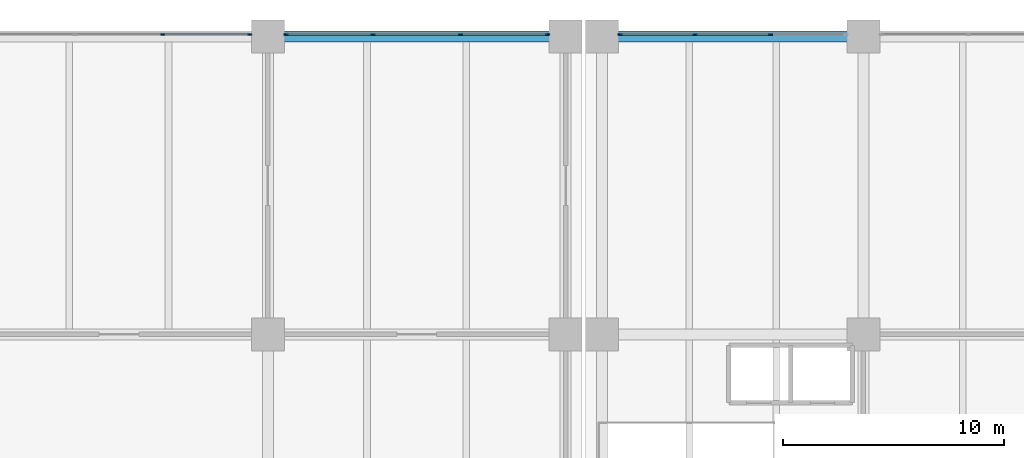
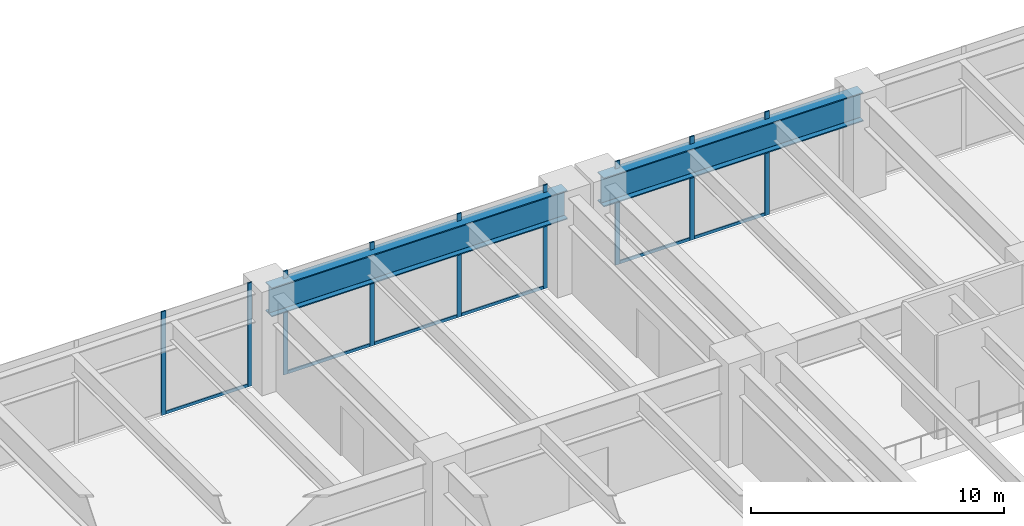
# One storey, part 15 of 31: 15 members, 2 beams, 3 elements without a shape of their own.
"""IFC4 building model written with IfcOpenShell, lengths in metres."""

from ifc_helpers import new_model, si_unit, direction, frame, origin, origin_2d, place, context, subcontext, project, spatial, rectangle, i_section, extrude, material, material_profile, profile_set, type_object, element, aggregate, save


model = new_model("IFC4")

# Units and contexts
model_context = context("Model", 3, precision=1e-05, world=origin(), true_north=direction((0.0, 1.0)))
body_context = subcontext(model_context, "Body", "Model", "MODEL_VIEW")
ifc_project = project(units=[si_unit("LENGTHUNIT", "METRE"), si_unit("AREAUNIT", "SQUARE_METRE"), si_unit("VOLUMEUNIT", "CUBIC_METRE"), si_unit("PLANEANGLEUNIT", "RADIAN"), si_unit("MASSUNIT", "GRAM", prefix="KILO")], contexts=[model_context])

# Site, building, storey
site_placement = place(None, origin())
site = spatial("IfcSite", under=ifc_project, at=site_placement, CompositionType="ELEMENT")
building_placement = place(site_placement, origin())
building = spatial("IfcBuilding", under=site, at=building_placement, Name="Upepo Twin Towers", CompositionType="ELEMENT")
storey_placement = place(building_placement, frame((0.0, 0.0, 15.5)))
storey = spatial("IfcBuildingStorey", under=building, at=storey_placement, Name="L03", CompositionType="ELEMENT", Elevation=15.5)

# Beams
ifc_material_1 = material(Name="Steel S355", Category="steel")
ifc_material_profile_1 = material_profile(ifc_material_1, i_section(OverallWidth=0.5, OverallDepth=1.39990234375, WebThickness=0.02490234375, FlangeThickness=0.050048828125, FilletRadius=0.008056640625, at=origin_2d()), Name="PG 1400x500x25x50")
ifc_profile_set_1 = profile_set([ifc_material_profile_1], Name="Steel S355")
beam_type = type_object("IfcBeamType", Name="Beam PG 1400x500x25x50", PredefinedType="BEAM", material=ifc_profile_set_1)
beam_1_placement = place(storey_placement, frame((13.5, 40.5, 3.949951171875), z_axis=(1.0, 0.0, 0.0), x_axis=(0.0, 1.0, 0.0)))
element("IfcBeam", 1, at=beam_1_placement, inside=storey, type_object=beam_type, Name="Podium girder G/4-5", PredefinedType="BEAM", context=body_context, shape_type="SweptSolid", body=[
    extrude(i_section(OverallWidth=0.5, OverallDepth=1.39990234375, WebThickness=0.02490234375, FlangeThickness=0.050048828125, FilletRadius=0.008056640625, at=origin_2d()), origin(), (0.0, 0.0, 1.0), 13.5),
])
beam_2_placement = place(storey_placement, frame((28.64990234375, 40.5, 3.949951171875), z_axis=(1.0, 0.0, 0.0), x_axis=(0.0, 1.0, 0.0)))
element("IfcBeam", 2, at=beam_2_placement, inside=storey, type_object=beam_type, Name="Podium girder G/5a-6", PredefinedType="BEAM", context=body_context, shape_type="SweptSolid", body=[
    extrude(i_section(OverallWidth=0.5, OverallDepth=1.39990234375, WebThickness=0.02490234375, FlangeThickness=0.050048828125, FilletRadius=0.008056640625, at=origin_2d()), origin(), (0.0, 0.0, 1.0), 11.85009765625),
])

# Curtain wall, members
ifc_material_2 = material(Name="Aluminium and clear glass", Category="aluminium")
curtain_wall_type = type_object("IfcCurtainWallType", Name="Podium curtain wall PW1", PredefinedType="NOTDEFINED", material=ifc_material_2)
curtain_wall_1_placement = place(storey_placement, origin())
curtain_wall_1 = element("IfcCurtainWall", 3, at=curtain_wall_1_placement, inside=storey, type_object=curtain_wall_type, Name="Podium L03 curtain wall N5", PredefinedType="NOTDEFINED")
ifc_material_3 = material(Name="Aluminium mullion", Category="aluminium")
ifc_material_profile_2 = material_profile(ifc_material_3, rectangle(XDim=0.06494140625, YDim=0.199951171875, at=origin_2d()), Name="MULLION 65x200 PODIUM")
ifc_profile_set_2 = profile_set([ifc_material_profile_2], Name="Aluminium mullion")
member_type_1 = type_object("IfcMemberType", Name="Mullion 65x200 PW1", PredefinedType="MULLION", material=ifc_profile_set_2)
member_1_placement = place(storey_placement, frame((36.288330078125, 40.60009765625, 0.0), z_axis=(0.0, 0.0, 1.0), x_axis=(0.0, -1.0, 0.0)))
member_1 = element("IfcMember", 4, at=member_1_placement, type_object=member_type_1, Name="Podium L03 curtain wall N5 mullion 2", PredefinedType="MULLION", context=body_context, shape_type="SweptSolid", body=[
    extrude(rectangle(XDim=0.06494140625, YDim=0.199951171875, at=origin_2d()), origin(), (0.0, 0.0, 1.0), 5.0),
])
member_2_placement = place(storey_placement, frame((32.861572265625, 40.60009765625, 0.0), z_axis=(0.0, 0.0, 1.0), x_axis=(0.0, -1.0, 0.0)))
member_2 = element("IfcMember", 5, at=member_2_placement, type_object=member_type_1, Name="Podium L03 curtain wall N5 mullion 3", PredefinedType="MULLION", context=body_context, shape_type="SweptSolid", body=[
    extrude(rectangle(XDim=0.06494140625, YDim=0.199951171875, at=origin_2d()), origin(), (0.0, 0.0, 1.0), 5.0),
])
member_3_placement = place(storey_placement, frame((29.467529296875, 40.60009765625, 0.0), z_axis=(0.0, 0.0, 1.0), x_axis=(0.0, -1.0, 0.0)))
member_3 = element("IfcMember", 6, at=member_3_placement, type_object=member_type_1, Name="Podium L03 curtain wall N5 mullion 4", PredefinedType="MULLION", context=body_context, shape_type="SweptSolid", body=[
    extrude(rectangle(XDim=0.06494140625, YDim=0.199951171875, at=origin_2d()), origin(), (0.0, 0.0, 1.0), 5.0),
])

curtain_wall_2_placement = place(storey_placement, origin())
curtain_wall_2 = element("IfcCurtainWall", 7, at=curtain_wall_2_placement, inside=storey, type_object=curtain_wall_type, Name="Podium L03 curtain wall N6", PredefinedType="NOTDEFINED")
member_4_placement = place(storey_placement, frame((26.1826171875, 40.60009765625, 0.0), z_axis=(0.0, 0.0, 1.0), x_axis=(0.0, -1.0, 0.0)))
member_4 = element("IfcMember", 8, at=member_4_placement, type_object=member_type_1, Name="Podium L03 curtain wall N6 mullion 1", PredefinedType="MULLION", context=body_context, shape_type="SweptSolid", body=[
    extrude(rectangle(XDim=0.06494140625, YDim=0.199951171875, at=origin_2d()), origin(), (0.0, 0.0, 1.0), 5.0),
])
member_5_placement = place(storey_placement, frame((22.23828125, 40.60009765625, 0.0), z_axis=(0.0, 0.0, 1.0), x_axis=(0.0, -1.0, 0.0)))
member_5 = element("IfcMember", 9, at=member_5_placement, type_object=member_type_1, Name="Podium L03 curtain wall N6 mullion 2", PredefinedType="MULLION", context=body_context, shape_type="SweptSolid", body=[
    extrude(rectangle(XDim=0.06494140625, YDim=0.199951171875, at=origin_2d()), origin(), (0.0, 0.0, 1.0), 5.0),
])
member_6_placement = place(storey_placement, frame((18.26171875, 40.60009765625, 0.0), z_axis=(0.0, 0.0, 1.0), x_axis=(0.0, -1.0, 0.0)))
member_6 = element("IfcMember", 10, at=member_6_placement, type_object=member_type_1, Name="Podium L03 curtain wall N6 mullion 3", PredefinedType="MULLION", context=body_context, shape_type="SweptSolid", body=[
    extrude(rectangle(XDim=0.06494140625, YDim=0.199951171875, at=origin_2d()), origin(), (0.0, 0.0, 1.0), 5.0),
])
member_7_placement = place(storey_placement, frame((14.3173828125, 40.60009765625, 0.0), z_axis=(0.0, 0.0, 1.0), x_axis=(0.0, -1.0, 0.0)))
member_7 = element("IfcMember", 11, at=member_7_placement, type_object=member_type_1, Name="Podium L03 curtain wall N6 mullion 4", PredefinedType="MULLION", context=body_context, shape_type="SweptSolid", body=[
    extrude(rectangle(XDim=0.06494140625, YDim=0.199951171875, at=origin_2d()), origin(), (0.0, 0.0, 1.0), 5.0),
])

curtain_wall_3_placement = place(storey_placement, origin())
curtain_wall_3 = element("IfcCurtainWall", 12, at=curtain_wall_3_placement, inside=storey, type_object=curtain_wall_type, Name="Podium L03 curtain wall N7", PredefinedType="NOTDEFINED")
member_8_placement = place(storey_placement, frame((12.6826171875, 40.60009765625, 0.0), z_axis=(0.0, 0.0, 1.0), x_axis=(0.0, -1.0, 0.0)))
member_8 = element("IfcMember", 13, at=member_8_placement, type_object=member_type_1, Name="Podium L03 curtain wall N7 mullion 1", PredefinedType="MULLION", context=body_context, shape_type="SweptSolid", body=[
    extrude(rectangle(XDim=0.06494140625, YDim=0.199951171875, at=origin_2d()), origin(), (0.0, 0.0, 1.0), 5.0),
])
member_9_placement = place(storey_placement, frame((8.73828125, 40.60009765625, 0.0), z_axis=(0.0, 0.0, 1.0), x_axis=(0.0, -1.0, 0.0)))
member_9 = element("IfcMember", 14, at=member_9_placement, type_object=member_type_1, Name="Podium L03 curtain wall N7 mullion 2", PredefinedType="MULLION", context=body_context, shape_type="SweptSolid", body=[
    extrude(rectangle(XDim=0.06494140625, YDim=0.199951171875, at=origin_2d()), origin(), (0.0, 0.0, 1.0), 5.0),
])

# Member
ifc_material_4 = material(Name="Aluminium transom", Category="aluminium")
ifc_material_profile_3 = material_profile(ifc_material_4, rectangle(XDim=0.06494140625, YDim=0.14990234375, at=origin_2d()), Name="TRANSOM 65x150 PODIUM")
ifc_profile_set_3 = profile_set([ifc_material_profile_3], Name="Aluminium transom")
member_type_2 = type_object("IfcMemberType", Name="Transom 65x150 PW1", PredefinedType="USERDEFINED", material=ifc_profile_set_3)
member_10_placement = place(storey_placement, frame((36.255859375, 40.60009765625, 0.074951171875), z_axis=(-1.0, 0.0, 0.0), x_axis=(0.0, -1.0, 0.0)))
member_10 = element("IfcMember", 15, at=member_10_placement, type_object=member_type_2, Name="Podium L03 curtain wall N5 transom 2", ObjectType="TRANSOM", PredefinedType="USERDEFINED", context=body_context, shape_type="SweptSolid", body=[
    extrude(rectangle(XDim=0.06494140625, YDim=0.14990234375, at=origin_2d()), origin(), (0.0, 0.0, 1.0), 3.361572265625),
])

member_11_placement = place(storey_placement, frame((32.8291015625, 40.60009765625, 0.074951171875), z_axis=(-1.0, 0.0, 0.0), x_axis=(0.0, -1.0, 0.0)))
member_11 = element("IfcMember", 16, at=member_11_placement, type_object=member_type_2, Name="Podium L03 curtain wall N5 transom 3", ObjectType="TRANSOM", PredefinedType="USERDEFINED", context=body_context, shape_type="SweptSolid", body=[
    extrude(rectangle(XDim=0.06494140625, YDim=0.14990234375, at=origin_2d()), origin(), (0.0, 0.0, 1.0), 3.3291015625),
])

aggregate(curtain_wall_1, [member_1, member_2, member_3, member_10, member_11])

member_12_placement = place(storey_placement, frame((26.14990234375, 40.60009765625, 0.074951171875), z_axis=(-1.0, 0.0, 0.0), x_axis=(0.0, -1.0, 0.0)))
member_12 = element("IfcMember", 17, at=member_12_placement, type_object=member_type_2, Name="Podium L03 curtain wall N6 transom 1", ObjectType="TRANSOM", PredefinedType="USERDEFINED", context=body_context, shape_type="SweptSolid", body=[
    extrude(rectangle(XDim=0.06494140625, YDim=0.14990234375, at=origin_2d()), origin(), (0.0, 0.0, 1.0), 3.879150390625),
])

member_13_placement = place(storey_placement, frame((22.205810546875, 40.60009765625, 0.074951171875), z_axis=(-1.0, 0.0, 0.0), x_axis=(0.0, -1.0, 0.0)))
member_13 = element("IfcMember", 18, at=member_13_placement, type_object=member_type_2, Name="Podium L03 curtain wall N6 transom 2", ObjectType="TRANSOM", PredefinedType="USERDEFINED", context=body_context, shape_type="SweptSolid", body=[
    extrude(rectangle(XDim=0.06494140625, YDim=0.14990234375, at=origin_2d()), origin(), (0.0, 0.0, 1.0), 3.91162109375),
])

member_14_placement = place(storey_placement, frame((18.229248046875, 40.60009765625, 0.074951171875), z_axis=(-1.0, 0.0, 0.0), x_axis=(0.0, -1.0, 0.0)))
member_14 = element("IfcMember", 19, at=member_14_placement, type_object=member_type_2, Name="Podium L03 curtain wall N6 transom 3", ObjectType="TRANSOM", PredefinedType="USERDEFINED", context=body_context, shape_type="SweptSolid", body=[
    extrude(rectangle(XDim=0.06494140625, YDim=0.14990234375, at=origin_2d()), origin(), (0.0, 0.0, 1.0), 3.879150390625),
])

aggregate(curtain_wall_2, [member_4, member_5, member_6, member_7, member_12, member_13, member_14])

member_15_placement = place(storey_placement, frame((12.64990234375, 40.60009765625, 0.074951171875), z_axis=(-1.0, 0.0, 0.0), x_axis=(0.0, -1.0, 0.0)))
member_15 = element("IfcMember", 20, at=member_15_placement, type_object=member_type_2, Name="Podium L03 curtain wall N7 transom 1", ObjectType="TRANSOM", PredefinedType="USERDEFINED", context=body_context, shape_type="SweptSolid", body=[
    extrude(rectangle(XDim=0.06494140625, YDim=0.14990234375, at=origin_2d()), origin(), (0.0, 0.0, 1.0), 3.879150390625),
])

aggregate(curtain_wall_3, [member_8, member_9, member_15])

save(model, "model.ifc")
